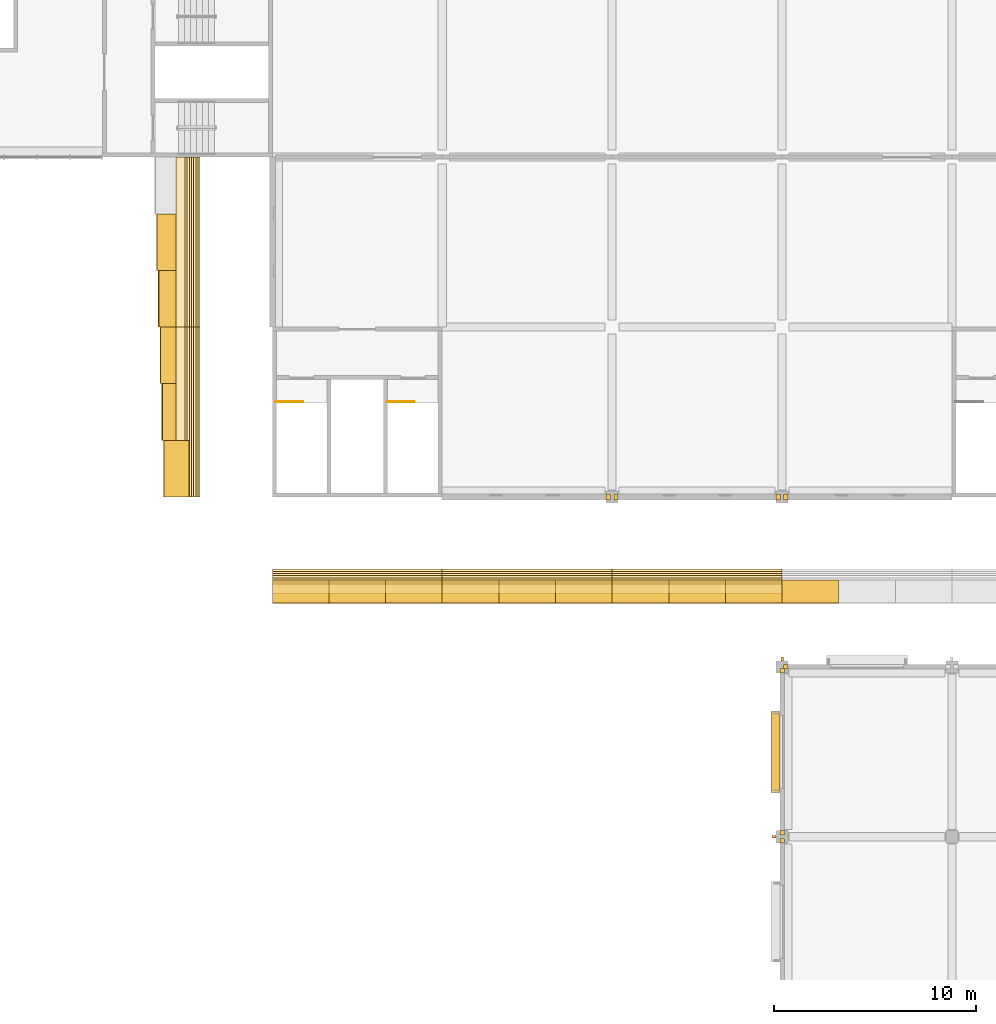
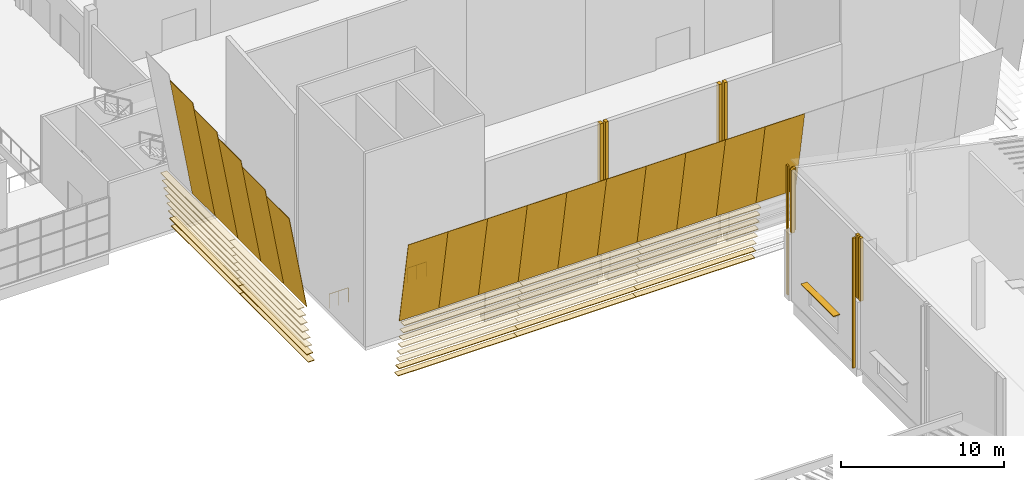
# One storey, part 52 of 59: 63 coverings, 3 shading devices, 2 railings.
"""IFC4 building model written with IfcOpenShell, lengths in metres."""

from ifc_helpers import new_model, si_unit, direction, frame, origin, origin_2d, place, context, subcontext, project, spatial, polyline, rectangle, circle, outline, extrude, material, layer, layer_set, material_profile, profile_set, type_object, element, save


model = new_model("IFC4")

# Units and contexts
model_context = context("Model", 3, precision=1e-05, world=origin(), true_north=direction((0.0, 1.0)))
body_context = subcontext(model_context, "Body", "Model", "MODEL_VIEW")
ifc_project = project(units=[si_unit("LENGTHUNIT", "METRE"), si_unit("AREAUNIT", "SQUARE_METRE"), si_unit("VOLUMEUNIT", "CUBIC_METRE"), si_unit("PLANEANGLEUNIT", "RADIAN"), si_unit("MASSUNIT", "GRAM", prefix="KILO")], contexts=[model_context])

# Site, building, storey
site_placement = place(None, origin())
site = spatial("IfcSite", under=ifc_project, at=site_placement, CompositionType="ELEMENT")
building_placement = place(site_placement, origin())
building = spatial("IfcBuilding", under=site, at=building_placement, Name="Almond Square Museum", CompositionType="ELEMENT")
storey_placement = place(building_placement, frame((0.0, 0.0, 25.0)))
storey = spatial("IfcBuildingStorey", under=building, at=storey_placement, Name="L04", CompositionType="ELEMENT", Elevation=25.0)

# Coverings
ifc_material_1 = material(Name="Cedar timber louvre board", Category="wood")
ifc_material_profile_1 = material_profile(ifc_material_1, rectangle(XDim=0.449951171875, YDim=0.050048828125, at=origin_2d()))
ifc_profile_set_1 = profile_set([ifc_material_profile_1], Name="Cedar timber louvre board")
covering_type_1 = type_object("IfcCoveringType", Name="Louvre board 450 x 50", PredefinedType="CLADDING", material=ifc_profile_set_1)
covering_1_placement = place(storey_placement, frame((106.800048828125, 46.602294921875, 0.300048828125), z_axis=(1.0, 0.0, 0.0), x_axis=(0.0, 1.0, 0.0)))
element("IfcCovering", 1, at=covering_1_placement, inside=storey, type_object=covering_type_1, Name="Louvre board S31.01", PredefinedType="CLADDING", context=body_context, shape_type="SweptSolid", body=[
    extrude(rectangle(XDim=0.449951171875, YDim=0.050048828125, at=origin_2d()), origin(), (0.0, 0.0, 1.0), 8.39990234375),
])
covering_2_placement = place(storey_placement, frame((115.199951171875, 46.602294921875, 0.300048828125), z_axis=(1.0, 0.0, 0.0), x_axis=(0.0, 1.0, 0.0)))
element("IfcCovering", 2, at=covering_2_placement, inside=storey, type_object=covering_type_1, Name="Louvre board S31.02", PredefinedType="CLADDING", context=body_context, shape_type="SweptSolid", body=[
    extrude(rectangle(XDim=0.449951171875, YDim=0.050048828125, at=origin_2d()), origin(), (0.0, 0.0, 1.0), 8.400146484375),
])
for number, where, z_axis, x_axis, name in (
    (3, (123.60009765625, 46.602294921875, 0.300048828125), (1.0, 0.0, 0.0), (0.0, 1.0, 0.0), "Louvre board S31.03"),
    (4, (106.800048828125, 46.49658203125, 0.89990234375), (1.0, 0.0, 0.0), (0.0, 1.0, 0.0), "Louvre board S32.01"),
):
    element("IfcCovering", number, at=place(storey_placement, frame(where, z_axis=z_axis, x_axis=x_axis)), inside=storey, type_object=covering_type_1, Name=name, PredefinedType="CLADDING", context=body_context, shape_type="SweptSolid", body=[
        extrude(rectangle(XDim=0.449951171875, YDim=0.050048828125, at=origin_2d()), origin(), (0.0, 0.0, 1.0), 8.39990234375),
    ])
covering_3_placement = place(storey_placement, frame((115.199951171875, 46.49658203125, 0.89990234375), z_axis=(1.0, 0.0, 0.0), x_axis=(0.0, 1.0, 0.0)))
element("IfcCovering", 5, at=covering_3_placement, inside=storey, type_object=covering_type_1, Name="Louvre board S32.02", PredefinedType="CLADDING", context=body_context, shape_type="SweptSolid", body=[
    extrude(rectangle(XDim=0.449951171875, YDim=0.050048828125, at=origin_2d()), origin(), (0.0, 0.0, 1.0), 8.400146484375),
])
for number, where, z_axis, x_axis, name in (
    (6, (123.60009765625, 46.49658203125, 0.89990234375), (1.0, 0.0, 0.0), (0.0, 1.0, 0.0), "Louvre board S32.03"),
    (7, (106.800048828125, 46.390625, 1.5), (1.0, 0.0, 0.0), (0.0, 1.0, 0.0), "Louvre board S33.01"),
):
    element("IfcCovering", number, at=place(storey_placement, frame(where, z_axis=z_axis, x_axis=x_axis)), inside=storey, type_object=covering_type_1, Name=name, PredefinedType="CLADDING", context=body_context, shape_type="SweptSolid", body=[
        extrude(rectangle(XDim=0.449951171875, YDim=0.050048828125, at=origin_2d()), origin(), (0.0, 0.0, 1.0), 8.39990234375),
    ])
covering_4_placement = place(storey_placement, frame((115.199951171875, 46.390625, 1.5), z_axis=(1.0, 0.0, 0.0), x_axis=(0.0, 1.0, 0.0)))
element("IfcCovering", 8, at=covering_4_placement, inside=storey, type_object=covering_type_1, Name="Louvre board S33.02", PredefinedType="CLADDING", context=body_context, shape_type="SweptSolid", body=[
    extrude(rectangle(XDim=0.449951171875, YDim=0.050048828125, at=origin_2d()), origin(), (0.0, 0.0, 1.0), 8.400146484375),
])
for number, where, z_axis, x_axis, name in (
    (9, (123.60009765625, 46.390625, 1.5), (1.0, 0.0, 0.0), (0.0, 1.0, 0.0), "Louvre board S33.03"),
    (10, (106.800048828125, 46.284912109375, 2.10009765625), (1.0, 0.0, 0.0), (0.0, 1.0, 0.0), "Louvre board S34.01"),
):
    element("IfcCovering", number, at=place(storey_placement, frame(where, z_axis=z_axis, x_axis=x_axis)), inside=storey, type_object=covering_type_1, Name=name, PredefinedType="CLADDING", context=body_context, shape_type="SweptSolid", body=[
        extrude(rectangle(XDim=0.449951171875, YDim=0.050048828125, at=origin_2d()), origin(), (0.0, 0.0, 1.0), 8.39990234375),
    ])
covering_5_placement = place(storey_placement, frame((115.199951171875, 46.284912109375, 2.10009765625), z_axis=(1.0, 0.0, 0.0), x_axis=(0.0, 1.0, 0.0)))
element("IfcCovering", 11, at=covering_5_placement, inside=storey, type_object=covering_type_1, Name="Louvre board S34.02", PredefinedType="CLADDING", context=body_context, shape_type="SweptSolid", body=[
    extrude(rectangle(XDim=0.449951171875, YDim=0.050048828125, at=origin_2d()), origin(), (0.0, 0.0, 1.0), 8.400146484375),
])
for number, where, z_axis, x_axis, name in (
    (12, (123.60009765625, 46.284912109375, 2.10009765625), (1.0, 0.0, 0.0), (0.0, 1.0, 0.0), "Louvre board S34.03"),
    (13, (106.800048828125, 46.17919921875, 2.699951171875), (1.0, 0.0, 0.0), (0.0, 1.0, 0.0), "Louvre board S35.01"),
):
    element("IfcCovering", number, at=place(storey_placement, frame(where, z_axis=z_axis, x_axis=x_axis)), inside=storey, type_object=covering_type_1, Name=name, PredefinedType="CLADDING", context=body_context, shape_type="SweptSolid", body=[
        extrude(rectangle(XDim=0.449951171875, YDim=0.050048828125, at=origin_2d()), origin(), (0.0, 0.0, 1.0), 8.39990234375),
    ])
covering_6_placement = place(storey_placement, frame((115.199951171875, 46.17919921875, 2.699951171875), z_axis=(1.0, 0.0, 0.0), x_axis=(0.0, 1.0, 0.0)))
element("IfcCovering", 14, at=covering_6_placement, inside=storey, type_object=covering_type_1, Name="Louvre board S35.02", PredefinedType="CLADDING", context=body_context, shape_type="SweptSolid", body=[
    extrude(rectangle(XDim=0.449951171875, YDim=0.050048828125, at=origin_2d()), origin(), (0.0, 0.0, 1.0), 8.400146484375),
])
for number, where, z_axis, x_axis, name in (
    (15, (123.60009765625, 46.17919921875, 2.699951171875), (1.0, 0.0, 0.0), (0.0, 1.0, 0.0), "Louvre board S35.03"),
    (16, (106.800048828125, 46.0732421875, 3.300048828125), (1.0, 0.0, 0.0), (0.0, 1.0, 0.0), "Louvre board S36.01"),
):
    element("IfcCovering", number, at=place(storey_placement, frame(where, z_axis=z_axis, x_axis=x_axis)), inside=storey, type_object=covering_type_1, Name=name, PredefinedType="CLADDING", context=body_context, shape_type="SweptSolid", body=[
        extrude(rectangle(XDim=0.449951171875, YDim=0.050048828125, at=origin_2d()), origin(), (0.0, 0.0, 1.0), 8.39990234375),
    ])
covering_7_placement = place(storey_placement, frame((115.199951171875, 46.0732421875, 3.300048828125), z_axis=(1.0, 0.0, 0.0), x_axis=(0.0, 1.0, 0.0)))
element("IfcCovering", 17, at=covering_7_placement, inside=storey, type_object=covering_type_1, Name="Louvre board S36.02", PredefinedType="CLADDING", context=body_context, shape_type="SweptSolid", body=[
    extrude(rectangle(XDim=0.449951171875, YDim=0.050048828125, at=origin_2d()), origin(), (0.0, 0.0, 1.0), 8.400146484375),
])
for number, where, z_axis, x_axis, name in (
    (18, (123.60009765625, 46.0732421875, 3.300048828125), (1.0, 0.0, 0.0), (0.0, 1.0, 0.0), "Louvre board S36.03"),
    (19, (106.800048828125, 45.967529296875, 3.89990234375), (1.0, 0.0, 0.0), (0.0, 1.0, 0.0), "Louvre board S37.01"),
):
    element("IfcCovering", number, at=place(storey_placement, frame(where, z_axis=z_axis, x_axis=x_axis)), inside=storey, type_object=covering_type_1, Name=name, PredefinedType="CLADDING", context=body_context, shape_type="SweptSolid", body=[
        extrude(rectangle(XDim=0.449951171875, YDim=0.050048828125, at=origin_2d()), origin(), (0.0, 0.0, 1.0), 8.39990234375),
    ])
covering_8_placement = place(storey_placement, frame((115.199951171875, 45.967529296875, 3.89990234375), z_axis=(1.0, 0.0, 0.0), x_axis=(0.0, 1.0, 0.0)))
element("IfcCovering", 20, at=covering_8_placement, inside=storey, type_object=covering_type_1, Name="Louvre board S37.02", PredefinedType="CLADDING", context=body_context, shape_type="SweptSolid", body=[
    extrude(rectangle(XDim=0.449951171875, YDim=0.050048828125, at=origin_2d()), origin(), (0.0, 0.0, 1.0), 8.400146484375),
])
for number, where, z_axis, x_axis, name in (
    (21, (123.60009765625, 45.967529296875, 3.89990234375), (1.0, 0.0, 0.0), (0.0, 1.0, 0.0), "Louvre board S37.03"),
    (22, (106.800048828125, 45.86181640625, 4.5), (1.0, 0.0, 0.0), (0.0, 1.0, 0.0), "Louvre board S38.01"),
):
    element("IfcCovering", number, at=place(storey_placement, frame(where, z_axis=z_axis, x_axis=x_axis)), inside=storey, type_object=covering_type_1, Name=name, PredefinedType="CLADDING", context=body_context, shape_type="SweptSolid", body=[
        extrude(rectangle(XDim=0.449951171875, YDim=0.050048828125, at=origin_2d()), origin(), (0.0, 0.0, 1.0), 8.39990234375),
    ])
covering_9_placement = place(storey_placement, frame((115.199951171875, 45.86181640625, 4.5), z_axis=(1.0, 0.0, 0.0), x_axis=(0.0, 1.0, 0.0)))
element("IfcCovering", 23, at=covering_9_placement, inside=storey, type_object=covering_type_1, Name="Louvre board S38.02", PredefinedType="CLADDING", context=body_context, shape_type="SweptSolid", body=[
    extrude(rectangle(XDim=0.449951171875, YDim=0.050048828125, at=origin_2d()), origin(), (0.0, 0.0, 1.0), 8.400146484375),
])
covering_10_placement = place(storey_placement, frame((123.60009765625, 45.86181640625, 4.5), z_axis=(1.0, 0.0, 0.0), x_axis=(0.0, 1.0, 0.0)))
element("IfcCovering", 24, at=covering_10_placement, inside=storey, type_object=covering_type_1, Name="Louvre board S38.03", PredefinedType="CLADDING", context=body_context, shape_type="SweptSolid", body=[
    extrude(rectangle(XDim=0.449951171875, YDim=0.050048828125, at=origin_2d()), origin(), (0.0, 0.0, 1.0), 8.39990234375),
])
covering_11_placement = place(storey_placement, frame((103.002197265625, 50.39990234375, 0.300048828125), z_axis=(0.0, 1.0, 0.0), x_axis=(-1.0, 0.0, 0.0)))
element("IfcCovering", 25, at=covering_11_placement, inside=storey, type_object=covering_type_1, Name="Louvre board W31.01", PredefinedType="CLADDING", context=body_context, shape_type="SweptSolid", body=[
    extrude(rectangle(XDim=0.449951171875, YDim=0.050048828125, at=origin_2d()), origin(), (0.0, 0.0, 1.0), 8.400146484375),
])
covering_12_placement = place(storey_placement, frame((103.002197265625, 58.800048828125, 0.300048828125), z_axis=(0.0, 1.0, 0.0), x_axis=(-1.0, 0.0, 0.0)))
element("IfcCovering", 26, at=covering_12_placement, inside=storey, type_object=covering_type_1, Name="Louvre board W31.02", PredefinedType="CLADDING", context=body_context, shape_type="SweptSolid", body=[
    extrude(rectangle(XDim=0.449951171875, YDim=0.050048828125, at=origin_2d()), origin(), (0.0, 0.0, 1.0), 8.39990234375),
])
covering_13_placement = place(storey_placement, frame((102.896484375, 50.39990234375, 0.89990234375), z_axis=(0.0, 1.0, 0.0), x_axis=(-1.0, 0.0, 0.0)))
element("IfcCovering", 27, at=covering_13_placement, inside=storey, type_object=covering_type_1, Name="Louvre board W32.01", PredefinedType="CLADDING", context=body_context, shape_type="SweptSolid", body=[
    extrude(rectangle(XDim=0.449951171875, YDim=0.050048828125, at=origin_2d()), origin(), (0.0, 0.0, 1.0), 8.400146484375),
])
covering_14_placement = place(storey_placement, frame((102.896484375, 58.800048828125, 0.89990234375), z_axis=(0.0, 1.0, 0.0), x_axis=(-1.0, 0.0, 0.0)))
element("IfcCovering", 28, at=covering_14_placement, inside=storey, type_object=covering_type_1, Name="Louvre board W32.02", PredefinedType="CLADDING", context=body_context, shape_type="SweptSolid", body=[
    extrude(rectangle(XDim=0.449951171875, YDim=0.050048828125, at=origin_2d()), origin(), (0.0, 0.0, 1.0), 8.39990234375),
])
covering_15_placement = place(storey_placement, frame((102.790771484375, 50.39990234375, 1.5), z_axis=(0.0, 1.0, 0.0), x_axis=(-1.0, 0.0, 0.0)))
element("IfcCovering", 29, at=covering_15_placement, inside=storey, type_object=covering_type_1, Name="Louvre board W33.01", PredefinedType="CLADDING", context=body_context, shape_type="SweptSolid", body=[
    extrude(rectangle(XDim=0.449951171875, YDim=0.050048828125, at=origin_2d()), origin(), (0.0, 0.0, 1.0), 8.400146484375),
])
covering_16_placement = place(storey_placement, frame((102.790771484375, 58.800048828125, 1.5), z_axis=(0.0, 1.0, 0.0), x_axis=(-1.0, 0.0, 0.0)))
element("IfcCovering", 30, at=covering_16_placement, inside=storey, type_object=covering_type_1, Name="Louvre board W33.02", PredefinedType="CLADDING", context=body_context, shape_type="SweptSolid", body=[
    extrude(rectangle(XDim=0.449951171875, YDim=0.050048828125, at=origin_2d()), origin(), (0.0, 0.0, 1.0), 8.39990234375),
])
covering_17_placement = place(storey_placement, frame((102.684814453125, 50.39990234375, 2.10009765625), z_axis=(0.0, 1.0, 0.0), x_axis=(-1.0, 0.0, 0.0)))
element("IfcCovering", 31, at=covering_17_placement, inside=storey, type_object=covering_type_1, Name="Louvre board W34.01", PredefinedType="CLADDING", context=body_context, shape_type="SweptSolid", body=[
    extrude(rectangle(XDim=0.449951171875, YDim=0.050048828125, at=origin_2d()), origin(), (0.0, 0.0, 1.0), 8.400146484375),
])
covering_18_placement = place(storey_placement, frame((102.684814453125, 58.800048828125, 2.10009765625), z_axis=(0.0, 1.0, 0.0), x_axis=(-1.0, 0.0, 0.0)))
element("IfcCovering", 32, at=covering_18_placement, inside=storey, type_object=covering_type_1, Name="Louvre board W34.02", PredefinedType="CLADDING", context=body_context, shape_type="SweptSolid", body=[
    extrude(rectangle(XDim=0.449951171875, YDim=0.050048828125, at=origin_2d()), origin(), (0.0, 0.0, 1.0), 8.39990234375),
])
covering_19_placement = place(storey_placement, frame((102.5791015625, 50.39990234375, 2.699951171875), z_axis=(0.0, 1.0, 0.0), x_axis=(-1.0, 0.0, 0.0)))
element("IfcCovering", 33, at=covering_19_placement, inside=storey, type_object=covering_type_1, Name="Louvre board W35.01", PredefinedType="CLADDING", context=body_context, shape_type="SweptSolid", body=[
    extrude(rectangle(XDim=0.449951171875, YDim=0.050048828125, at=origin_2d()), origin(), (0.0, 0.0, 1.0), 8.400146484375),
])
covering_20_placement = place(storey_placement, frame((102.5791015625, 58.800048828125, 2.699951171875), z_axis=(0.0, 1.0, 0.0), x_axis=(-1.0, 0.0, 0.0)))
element("IfcCovering", 34, at=covering_20_placement, inside=storey, type_object=covering_type_1, Name="Louvre board W35.02", PredefinedType="CLADDING", context=body_context, shape_type="SweptSolid", body=[
    extrude(rectangle(XDim=0.449951171875, YDim=0.050048828125, at=origin_2d()), origin(), (0.0, 0.0, 1.0), 8.39990234375),
])
covering_21_placement = place(storey_placement, frame((102.473388671875, 50.39990234375, 3.300048828125), z_axis=(0.0, 1.0, 0.0), x_axis=(-1.0, 0.0, 0.0)))
element("IfcCovering", 35, at=covering_21_placement, inside=storey, type_object=covering_type_1, Name="Louvre board W36.01", PredefinedType="CLADDING", context=body_context, shape_type="SweptSolid", body=[
    extrude(rectangle(XDim=0.449951171875, YDim=0.050048828125, at=origin_2d()), origin(), (0.0, 0.0, 1.0), 8.400146484375),
])
covering_22_placement = place(storey_placement, frame((102.473388671875, 58.800048828125, 3.300048828125), z_axis=(0.0, 1.0, 0.0), x_axis=(-1.0, 0.0, 0.0)))
element("IfcCovering", 36, at=covering_22_placement, inside=storey, type_object=covering_type_1, Name="Louvre board W36.02", PredefinedType="CLADDING", context=body_context, shape_type="SweptSolid", body=[
    extrude(rectangle(XDim=0.449951171875, YDim=0.050048828125, at=origin_2d()), origin(), (0.0, 0.0, 1.0), 8.39990234375),
])
covering_23_placement = place(storey_placement, frame((102.367431640625, 50.39990234375, 3.89990234375), z_axis=(0.0, 1.0, 0.0), x_axis=(-1.0, 0.0, 0.0)))
element("IfcCovering", 37, at=covering_23_placement, inside=storey, type_object=covering_type_1, Name="Louvre board W37.01", PredefinedType="CLADDING", context=body_context, shape_type="SweptSolid", body=[
    extrude(rectangle(XDim=0.449951171875, YDim=0.050048828125, at=origin_2d()), origin(), (0.0, 0.0, 1.0), 8.400146484375),
])
covering_24_placement = place(storey_placement, frame((102.367431640625, 58.800048828125, 3.89990234375), z_axis=(0.0, 1.0, 0.0), x_axis=(-1.0, 0.0, 0.0)))
element("IfcCovering", 38, at=covering_24_placement, inside=storey, type_object=covering_type_1, Name="Louvre board W37.02", PredefinedType="CLADDING", context=body_context, shape_type="SweptSolid", body=[
    extrude(rectangle(XDim=0.449951171875, YDim=0.050048828125, at=origin_2d()), origin(), (0.0, 0.0, 1.0), 8.39990234375),
])
covering_25_placement = place(storey_placement, frame((102.26171875, 50.39990234375, 4.5), z_axis=(0.0, 1.0, 0.0), x_axis=(-1.0, 0.0, 0.0)))
element("IfcCovering", 39, at=covering_25_placement, inside=storey, type_object=covering_type_1, Name="Louvre board W38.01", PredefinedType="CLADDING", context=body_context, shape_type="SweptSolid", body=[
    extrude(rectangle(XDim=0.449951171875, YDim=0.050048828125, at=origin_2d()), origin(), (0.0, 0.0, 1.0), 8.400146484375),
])
covering_26_placement = place(storey_placement, frame((102.26171875, 58.800048828125, 4.5), z_axis=(0.0, 1.0, 0.0), x_axis=(-1.0, 0.0, 0.0)))
element("IfcCovering", 40, at=covering_26_placement, inside=storey, type_object=covering_type_1, Name="Louvre board W38.02", PredefinedType="CLADDING", context=body_context, shape_type="SweptSolid", body=[
    extrude(rectangle(XDim=0.449951171875, YDim=0.050048828125, at=origin_2d()), origin(), (0.0, 0.0, 1.0), 8.39990234375),
])
ifc_material_2 = material(Name="Cedar timber sheathing panel", Category="wood")
ifc_layer_1 = layer(ifc_material_2, 0.030029296875)
ifc_layer_set_1 = layer_set([ifc_layer_1], Name="Cedar timber sheathing panel")
covering_type_2 = type_object("IfcCoveringType", Name="Louvre rain-screen backing panel 30", PredefinedType="CLADDING", material=ifc_layer_set_1)
covering_27_placement = place(storey_placement, frame((106.800048828125, 46.272216796875, 4.469970703125), z_axis=(0.0, -0.984807450038, -0.173649895908), x_axis=(1.0, 0.0, 0.0)))
element("IfcCovering", 41, at=covering_27_placement, inside=storey, type_object=covering_type_2, Name="Louvre rain-screen backing panel S01.07", PredefinedType="CLADDING", context=body_context, shape_type="SweptSolid", body=[
    extrude(outline(polyline([(0.0, 0.0), (2.800048828125, 0.0), (2.800048828125, 6.478552688524814), (0.0, 6.478552688524814), (0.0, 0.0)])), frame((0.0, 0.0, -0.01513671875)), (0.0, 0.0, 1.0), 0.030029296875),
])
covering_28_placement = place(storey_placement, frame((109.60009765625, 46.272216796875, 4.469970703125), z_axis=(0.0, -0.984807450038, -0.173649895908), x_axis=(1.0, 0.0, 0.0)))
element("IfcCovering", 42, at=covering_28_placement, inside=storey, type_object=covering_type_2, Name="Louvre rain-screen backing panel S02.07", PredefinedType="CLADDING", context=body_context, shape_type="SweptSolid", body=[
    extrude(outline(polyline([(0.0, 0.0), (2.7998046875, 0.0), (2.7998046875, 6.478552688524814), (0.0, 6.478552688524814), (0.0, 0.0)])), frame((0.0, 0.0, -0.01513671875)), (0.0, 0.0, 1.0), 0.030029296875),
])
for number, where, z_axis, x_axis, name in (
    (43, (112.39990234375, 46.272216796875, 4.469970703125), (0.0, -0.984807450038, -0.173649895908), (1.0, 0.0, 0.0), "Louvre rain-screen backing panel S03.07"),
    (44, (115.199951171875, 46.272216796875, 4.469970703125), (0.0, -0.984807450038, -0.173649895908), (1.0, 0.0, 0.0), "Louvre rain-screen backing panel S04.07"),
    (45, (118.0, 46.272216796875, 4.469970703125), (0.0, -0.984807450038, -0.173649895908), (1.0, 0.0, 0.0), "Louvre rain-screen backing panel S05.07"),
    (46, (120.800048828125, 46.272216796875, 4.469970703125), (0.0, -0.984807450038, -0.173649895908), (1.0, 0.0, 0.0), "Louvre rain-screen backing panel S06.07"),
):
    element("IfcCovering", number, at=place(storey_placement, frame(where, z_axis=z_axis, x_axis=x_axis)), inside=storey, type_object=covering_type_2, Name=name, PredefinedType="CLADDING", context=body_context, shape_type="SweptSolid", body=[
        extrude(outline(polyline([(0.0, 0.0), (2.800048828125, 0.0), (2.800048828125, 6.478552688524814), (0.0, 6.478552688524814), (0.0, 0.0)])), frame((0.0, 0.0, -0.01513671875)), (0.0, 0.0, 1.0), 0.030029296875),
    ])
covering_29_placement = place(storey_placement, frame((123.60009765625, 46.272216796875, 4.469970703125), z_axis=(0.0, -0.984807450038, -0.173649895908), x_axis=(1.0, 0.0, 0.0)))
element("IfcCovering", 47, at=covering_29_placement, inside=storey, type_object=covering_type_2, Name="Louvre rain-screen backing panel S07.07", PredefinedType="CLADDING", context=body_context, shape_type="SweptSolid", body=[
    extrude(outline(polyline([(0.0, 0.0), (2.7998046875, 0.0), (2.7998046875, 6.478552688524814), (0.0, 6.478552688524814), (0.0, 0.0)])), frame((0.0, 0.0, -0.01513671875)), (0.0, 0.0, 1.0), 0.030029296875),
])
for number, where, z_axis, x_axis, name in (
    (48, (126.39990234375, 46.272216796875, 4.469970703125), (0.0, -0.984807450038, -0.173649895908), (1.0, 0.0, 0.0), "Louvre rain-screen backing panel S08.07"),
    (49, (129.199951171875, 46.272216796875, 4.469970703125), (0.0, -0.984807450038, -0.173649895908), (1.0, 0.0, 0.0), "Louvre rain-screen backing panel S09.07"),
    (50, (132.0, 46.272216796875, 4.469970703125), (0.0, -0.984807450038, -0.173649895908), (1.0, 0.0, 0.0), "Louvre rain-screen backing panel S10.07"),
):
    element("IfcCovering", number, at=place(storey_placement, frame(where, z_axis=z_axis, x_axis=x_axis)), inside=storey, type_object=covering_type_2, Name=name, PredefinedType="CLADDING", context=body_context, shape_type="SweptSolid", body=[
        extrude(outline(polyline([(0.0, 0.0), (2.800048828125, 0.0), (2.800048828125, 6.478552688524814), (0.0, 6.478552688524814), (0.0, 0.0)])), frame((0.0, 0.0, -0.01513671875)), (0.0, 0.0, 1.0), 0.030029296875),
    ])
covering_30_placement = place(storey_placement, frame((102.672119140625, 50.39990234375, 4.469970703125), z_axis=(0.984809714648, 0.0, 0.17363705231), x_axis=(0.0, 1.0, 0.0)))
element("IfcCovering", 51, at=covering_30_placement, inside=storey, type_object=covering_type_2, Name="Louvre rain-screen backing panel W01.07", PredefinedType="CLADDING", context=body_context, shape_type="SweptSolid", body=[
    extrude(outline(polyline([(0.0, 0.0), (2.800048828125, 0.0), (2.800048828125, 7.13846461129573), (0.0, 7.13846461129573), (0.0, 0.0)])), frame((0.0, 0.0, -0.01513671875)), (0.0, 0.0, 1.0), 0.030029296875),
])
covering_31_placement = place(storey_placement, frame((102.672119140625, 53.199951171875, 4.469970703125), z_axis=(0.984808011815, 0.0, 0.173646709917), x_axis=(0.0, 1.0, 0.0)))
element("IfcCovering", 52, at=covering_31_placement, inside=storey, type_object=covering_type_2, Name="Louvre rain-screen backing panel W02.07", PredefinedType="CLADDING", context=body_context, shape_type="SweptSolid", body=[
    extrude(outline(polyline([(0.0, 0.0), (2.800048828125, 0.0), (2.800048828125, 7.6357780403986455), (0.0, 7.6357780403986455), (0.0, 0.0)])), frame((0.0, 0.0, -0.01513671875)), (0.0, 0.0, 1.0), 0.030029296875),
])
covering_32_placement = place(storey_placement, frame((102.672119140625, 56.0, 4.469970703125), z_axis=(0.984807422342, 0.0, 0.173650052982), x_axis=(0.0, 1.0, 0.0)))
element("IfcCovering", 53, at=covering_32_placement, inside=storey, type_object=covering_type_2, Name="Louvre rain-screen backing panel W03.07", PredefinedType="CLADDING", context=body_context, shape_type="SweptSolid", body=[
    extrude(outline(polyline([(0.0, 0.0), (2.800048828125, 0.0), (2.800048828125, 8.133331901535184), (0.0, 8.133331901535184), (0.0, 0.0)])), frame((0.0, 0.0, -0.01513671875)), (0.0, 0.0, 1.0), 0.030029296875),
])
covering_33_placement = place(storey_placement, frame((102.672119140625, 58.800048828125, 4.469970703125), z_axis=(0.984806900823, 0.0, 0.173653010603), x_axis=(0.0, 1.0, 0.0)))
element("IfcCovering", 54, at=covering_33_placement, inside=storey, type_object=covering_type_2, Name="Louvre rain-screen backing panel W04.07", PredefinedType="CLADDING", context=body_context, shape_type="SweptSolid", body=[
    extrude(outline(polyline([(0.0, 0.0), (2.800048828125, 0.0), (2.800048828125, 8.630885762754641), (0.0, 8.630885762754641), (0.0, 0.0)])), frame((0.0, 0.0, -0.01513671875)), (0.0, 0.0, 1.0), 0.030029296875),
])
covering_34_placement = place(storey_placement, frame((102.672119140625, 61.60009765625, 4.469970703125), z_axis=(0.984806436148, 0.0, 0.173655645807), x_axis=(0.0, 1.0, 0.0)))
element("IfcCovering", 55, at=covering_34_placement, inside=storey, type_object=covering_type_2, Name="Louvre rain-screen backing panel W05.07", PredefinedType="CLADDING", context=body_context, shape_type="SweptSolid", body=[
    extrude(outline(polyline([(0.0, 0.0), (2.7998046875, 0.0), (2.7998046875, 9.128439624043459), (0.0, 9.128439624043459), (0.0, 0.0)])), frame((0.0, 0.0, -0.01513671875)), (0.0, 0.0, 1.0), 0.030029296875),
])

# Railings
ifc_material_3 = material(Name="Stainless steel and laminated glass", Category="steel")
railing_type = type_object("IfcRailingType", Name="Stair guard 1100 steel and glass", PredefinedType="GUARDRAIL", material=ifc_material_3)
for number, where, name in (
    (56, (106.969970703125, 55.10009765625, 0.0), "L04 ST-01 top well guard 1"),
    (57, (112.469970703125, 55.10009765625, 0.0), "L04 ST-02 top well guard 1"),
):
    element("IfcRailing", number, at=place(storey_placement, frame(where)), inside=storey, type_object=railing_type, Name=name, PredefinedType="GUARDRAIL", context=body_context, shape_type="SweptSolid", body=[
        extrude(circle(Radius=0.02392578125, at=origin_2d()), frame((0.0, 0.0, 1.076171875), z_axis=(1.0, 0.0, 0.0), x_axis=(0.0, 1.0, 0.0)), (0.0, 0.0, 1.0), 1.35009765625),
        extrude(circle(Radius=0.02099609375, at=origin_2d()), origin(), (0.0, 0.0, 1.0), 1.052001953125),
        extrude(circle(Radius=0.02099609375, at=origin_2d()), frame((0.675048828125, 0.0, 0.0)), (0.0, 0.0, 1.0), 1.052001953125),
        extrude(circle(Radius=0.02099609375, at=origin_2d()), frame((1.35009765625, 0.0, 0.0)), (0.0, 0.0, 1.0), 1.052001953125),
    ])

# Shading devices
ifc_material_4 = material(Name="Anodised aluminium", Category="aluminium")
ifc_material_profile_2 = material_profile(ifc_material_4, rectangle(XDim=0.449951171875, YDim=0.050048828125, at=origin_2d()))
ifc_profile_set_2 = profile_set([ifc_material_profile_2], Name="Anodised aluminium")
shading_device_type_1 = type_object("IfcShadingDeviceType", Name="Sun-shade blade 450 x 50", PredefinedType="USERDEFINED", material=ifc_profile_set_2)
shading_device_1_placement = place(storey_placement, frame((131.6669921875, 35.800048828125, 2.52001953125), z_axis=(0.0, 1.0, 0.0), x_axis=(-1.0, 0.0, 0.0)))
element("IfcShadingDevice", 58, at=shading_device_1_placement, inside=storey, type_object=shading_device_type_1, Name="Sun-shade blade", ObjectType="LOUVRE", PredefinedType="USERDEFINED", context=body_context, shape_type="SweptSolid", body=[
    extrude(rectangle(XDim=0.449951171875, YDim=0.050048828125, at=origin_2d()), origin(), (0.0, 0.0, 1.0), 4.0),
])
ifc_material_5 = material(Name="Anodised aluminium", Category="aluminium")
ifc_material_profile_3 = material_profile(ifc_material_5, rectangle(XDim=0.199951171875, YDim=0.1201171875, at=origin_2d()))
ifc_profile_set_3 = profile_set([ifc_material_profile_3], Name="Anodised aluminium")
shading_device_type_2 = type_object("IfcShadingDeviceType", Name="Vertical aluminium fin 200 x 120", PredefinedType="USERDEFINED", material=ifc_profile_set_3)
shading_device_2_placement = place(storey_placement, frame((132.0, 42.39794921875, 0.0), z_axis=(0.0, 0.0, 1.0), x_axis=(0.0, 1.0, 0.0)))
element("IfcShadingDevice", 59, at=shading_device_2_placement, inside=storey, type_object=shading_device_type_2, Name="Vertical fin V5E L04 N02", ObjectType="FIN", PredefinedType="USERDEFINED", context=body_context, shape_type="SweptSolid", body=[
    extrude(rectangle(XDim=0.199951171875, YDim=0.1201171875, at=origin_2d()), origin(), (0.0, 0.0, 1.0), 9.6455078125),
])
shading_device_3_placement = place(storey_placement, frame((131.60205078125, 33.60009765625, 0.0), z_axis=(0.0, 0.0, 1.0), x_axis=(-1.0, 0.0, 0.0)))
element("IfcShadingDevice", 60, at=shading_device_3_placement, inside=storey, type_object=shading_device_type_2, Name="Vertical fin V5E L04 W01", ObjectType="FIN", PredefinedType="USERDEFINED", context=body_context, shape_type="SweptSolid", body=[
    extrude(rectangle(XDim=0.199951171875, YDim=0.1201171875, at=origin_2d()), origin(), (0.0, 0.0, 1.0), 9.709228515625),
])

# Coverings
ifc_material_6 = material(Name="Cladding panel to match the wall")
ifc_layer_2 = layer(ifc_material_6, 0.050048828125)
ifc_layer_set_2 = layer_set([ifc_layer_2], Name="Cladding panel to match the wall")
covering_type_3 = type_object("IfcCoveringType", Name="Wall end closure panel", PredefinedType="CLADDING", material=ifc_layer_set_2)
covering_35_placement = place(storey_placement, frame((132.18994140625, 42.0, 5.0), z_axis=(0.0, 0.0, 1.0), x_axis=(1.0, 0.0, 0.0)))
element("IfcCovering", 61, at=covering_35_placement, inside=storey, type_object=covering_type_3, Name="Wall end closure panel", PredefinedType="CLADDING", context=body_context, shape_type="SweptSolid", body=[
    extrude(rectangle(XDim=0.219970703125, YDim=0.219970703125, at=origin_2d()), origin(), (0.0, 0.0, 1.0), 4.6455078125),
])
for number, where, z_axis, x_axis, name in (
    (62, (132.0, 33.7900390625, 5.0), (0.0, 0.0, 1.0), (1.0, 0.0, 0.0), "Wall end closure panel"),
    (63, (132.0, 41.81005859375, 5.0), (0.0, 0.0, 1.0), (1.0, 0.0, 0.0), "Wall end closure panel"),
    (64, (132.0, 33.409912109375, 5.0), (0.0, 0.0, 1.0), (1.0, 0.0, 0.0), "Wall end closure panel"),
):
    element("IfcCovering", number, at=place(storey_placement, frame(where, z_axis=z_axis, x_axis=x_axis)), inside=storey, type_object=covering_type_3, Name=name, PredefinedType="CLADDING", context=body_context, shape_type="SweptSolid", body=[
        extrude(rectangle(XDim=0.219970703125, YDim=0.219970703125, at=origin_2d()), origin(), (0.0, 0.0, 1.0), 4.709228515625),
    ])
for number, where, z_axis, x_axis, name in (
    (65, (123.409912109375, 50.39990234375, 5.0), (0.0, 0.0, 1.0), (1.0, 0.0, 0.0), "Wall end closure panel"),
    (66, (123.7900390625, 50.39990234375, 5.0), (0.0, 0.0, 1.0), (1.0, 0.0, 0.0), "Wall end closure panel"),
    (67, (131.81005859375, 50.39990234375, 5.0), (0.0, 0.0, 1.0), (1.0, 0.0, 0.0), "Wall end closure panel"),
    (68, (132.18994140625, 50.39990234375, 5.0), (0.0, 0.0, 1.0), (1.0, 0.0, 0.0), "Wall end closure panel"),
):
    element("IfcCovering", number, at=place(storey_placement, frame(where, z_axis=z_axis, x_axis=x_axis)), inside=storey, type_object=covering_type_3, Name=name, PredefinedType="CLADDING", context=body_context, shape_type="SweptSolid", body=[
        extrude(rectangle(XDim=0.219970703125, YDim=0.300048828125, at=origin_2d()), origin(), (0.0, 0.0, 1.0), 5.995849609375),
    ])

save(model, "model.ifc")
